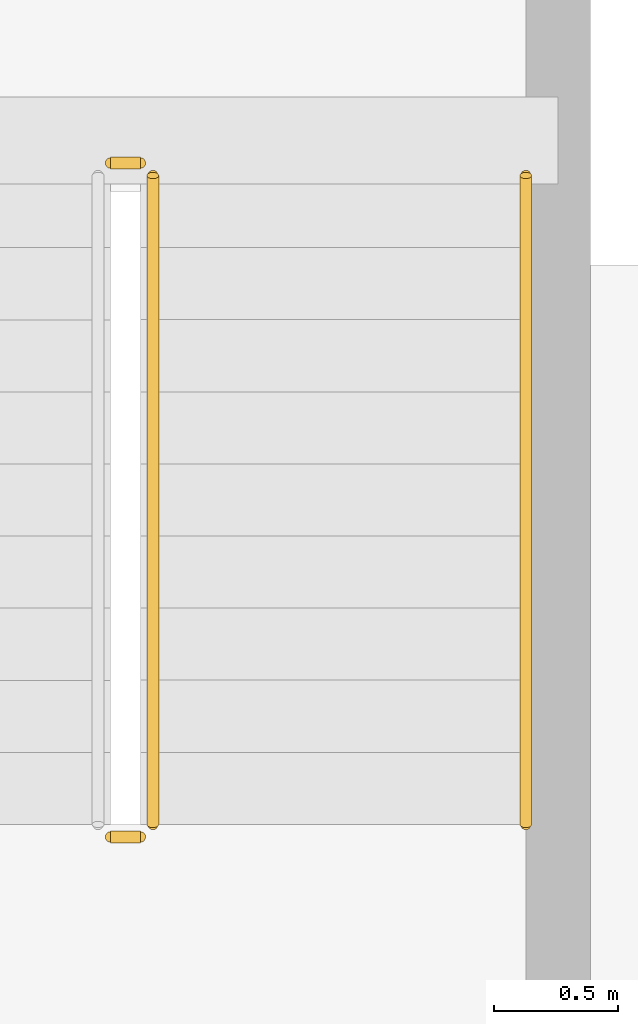
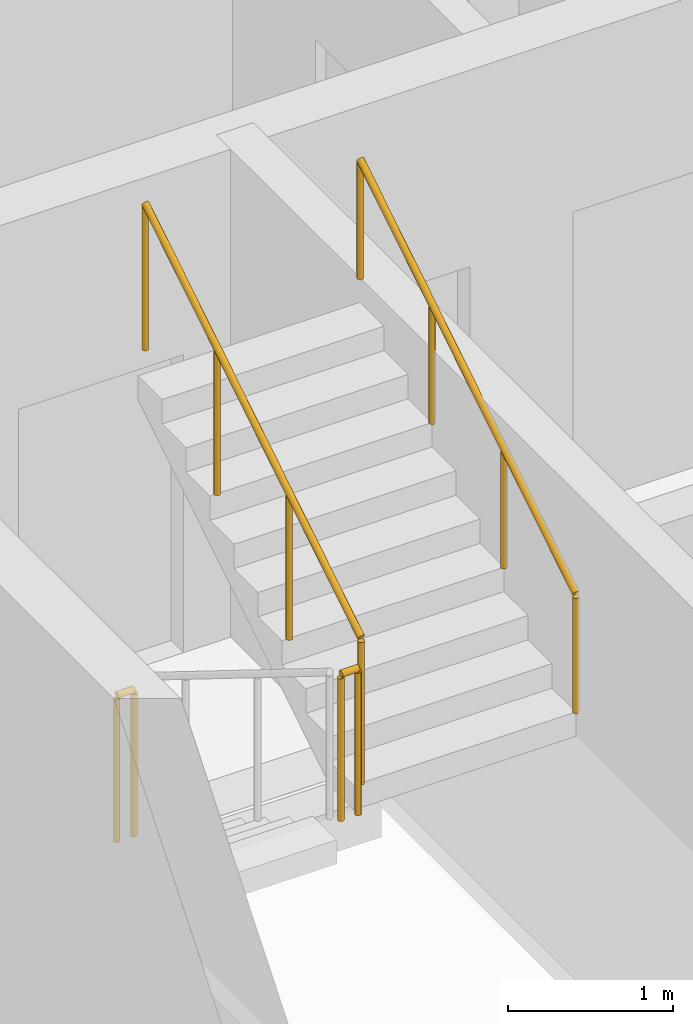
# One storey, part 24 of 25: 4 railings.
"""IFC4 building model written with IfcOpenShell, lengths in metres."""

from ifc_helpers import new_model, si_unit, direction, frame, origin, origin_2d, place, context, subcontext, project, spatial, circle, extrude, material, type_object, element, save


model = new_model("IFC4")

# Units and contexts
model_context = context("Model", 3, precision=1e-05, world=origin(), true_north=direction((0.0, 1.0)))
body_context = subcontext(model_context, "Body", "Model", "MODEL_VIEW")
ifc_project = project(units=[si_unit("LENGTHUNIT", "METRE"), si_unit("AREAUNIT", "SQUARE_METRE"), si_unit("VOLUMEUNIT", "CUBIC_METRE"), si_unit("PLANEANGLEUNIT", "RADIAN"), si_unit("MASSUNIT", "GRAM", prefix="KILO")], contexts=[model_context])

# Site, building, storey
site_placement = place(None, origin())
site = spatial("IfcSite", under=ifc_project, at=site_placement, CompositionType="ELEMENT")
building_placement = place(site_placement, origin())
building = spatial("IfcBuilding", under=site, at=building_placement, Name="Vharandega Faculty of Natural Sciences", CompositionType="ELEMENT")
storey_placement = place(building_placement, frame((0.0, 0.0, 25.199951171875)))
storey = spatial("IfcBuildingStorey", under=building, at=storey_placement, Name="L06", CompositionType="ELEMENT", Elevation=25.199951171875)

# Railings
ifc_material_1 = material(Name="Brushed stainless steel handrail", Category="steel")
railing_type_1 = type_object("IfcRailingType", Name="Stair Tubular Handrail 900", PredefinedType="HANDRAIL", material=ifc_material_1)
railing_1_placement = place(storey_placement, frame((149.330078125, 68.050048828125, 1.97998046875)))
element("IfcRailing", 1, at=railing_1_placement, inside=storey, type_object=railing_type_1, Name="L06 ST2 stair handrail 2", PredefinedType="HANDRAIL", context=body_context, shape_type="SweptSolid", body=[
    extrude(circle(Radius=0.02392578125, at=origin_2d()), frame((0.0, 0.0, 0.8759765625), z_axis=(0.0, 0.849610693518, 0.52741034258), x_axis=(-1.0, 0.0, 0.0)), (0.0, 0.0, 1.0), 3.07177734375),
    extrude(circle(Radius=0.02099609375, at=origin_2d()), origin(), (0.0, 0.0, 1.0), 0.851806640625),
    extrude(circle(Radius=0.02099609375, at=origin_2d()), frame((0.0, 0.869873046875, 0.5400390625)), (0.0, 0.0, 1.0), 0.851806640625),
    extrude(circle(Radius=0.02099609375, at=origin_2d()), frame((0.0, 1.739990234375, 1.080078125)), (0.0, 0.0, 1.0), 0.851806640625),
    extrude(circle(Radius=0.02099609375, at=origin_2d()), frame((0.0, 2.60986328125, 1.6201171875)), (0.0, 0.0, 1.0), 0.851806640625),
])
ifc_material_2 = material(Name="Painted steel stair guardrail", Category="steel")
railing_type_2 = type_object("IfcRailingType", Name="Stairwell Steel Guardrail 1100", PredefinedType="GUARDRAIL", material=ifc_material_2)
railing_2_placement = place(storey_placement, frame((147.659912109375, 68.0, 1.800048828125)))
element("IfcRailing", 2, at=railing_2_placement, inside=storey, type_object=railing_type_2, Name="L06 ST2 stair guard 2", PredefinedType="GUARDRAIL", context=body_context, shape_type="SweptSolid", body=[
    extrude(circle(Radius=0.02392578125, at=origin_2d()), frame((0.0, 0.0, 1.076171875), z_axis=(1.0, 0.0, 0.0), x_axis=(0.0, 1.0, 0.0)), (0.0, 0.0, 1.0), 0.1201171875),
    extrude(circle(Radius=0.02099609375, at=origin_2d()), origin(), (0.0, 0.0, 1.0), 1.052001953125),
    extrude(circle(Radius=0.02099609375, at=origin_2d()), frame((0.1201171875, 0.0, 0.0)), (0.0, 0.0, 1.0), 1.052001953125),
])
railing_3_placement = place(storey_placement, frame((147.830078125, 68.050048828125, 1.97998046875)))
element("IfcRailing", 3, at=railing_3_placement, inside=storey, type_object=railing_type_2, Name="L06 ST2 stair guard 3", PredefinedType="GUARDRAIL", context=body_context, shape_type="SweptSolid", body=[
    extrude(circle(Radius=0.02392578125, at=origin_2d()), frame((0.0, 0.0, 1.076171875), z_axis=(0.0, 0.849610693518, 0.52741034258), x_axis=(-1.0, 0.0, 0.0)), (0.0, 0.0, 1.0), 3.07177734375),
    extrude(circle(Radius=0.02099609375, at=origin_2d()), origin(), (0.0, 0.0, 1.0), 1.052001953125),
    extrude(circle(Radius=0.02099609375, at=origin_2d()), frame((0.0, 0.869873046875, 0.5400390625)), (0.0, 0.0, 1.0), 1.052001953125),
    extrude(circle(Radius=0.02099609375, at=origin_2d()), frame((0.0, 1.739990234375, 1.080078125)), (0.0, 0.0, 1.0), 1.052001953125),
    extrude(circle(Radius=0.02099609375, at=origin_2d()), frame((0.0, 2.60986328125, 1.6201171875)), (0.0, 0.0, 1.0), 1.052001953125),
])
railing_4_placement = place(storey_placement, frame((147.659912109375, 70.7099609375, 0.0)))
element("IfcRailing", 4, at=railing_4_placement, inside=storey, type_object=railing_type_2, Name="L06 ST2 stair guard 4", PredefinedType="GUARDRAIL", context=body_context, shape_type="SweptSolid", body=[
    extrude(circle(Radius=0.02392578125, at=origin_2d()), frame((0.0, 0.0, 1.076171875), z_axis=(1.0, 0.0, 0.0), x_axis=(0.0, 1.0, 0.0)), (0.0, 0.0, 1.0), 0.1201171875),
    extrude(circle(Radius=0.02099609375, at=origin_2d()), origin(), (0.0, 0.0, 1.0), 1.052001953125),
    extrude(circle(Radius=0.02099609375, at=origin_2d()), frame((0.1201171875, 0.0, 0.0)), (0.0, 0.0, 1.0), 1.052001953125),
])

save(model, "model.ifc")
